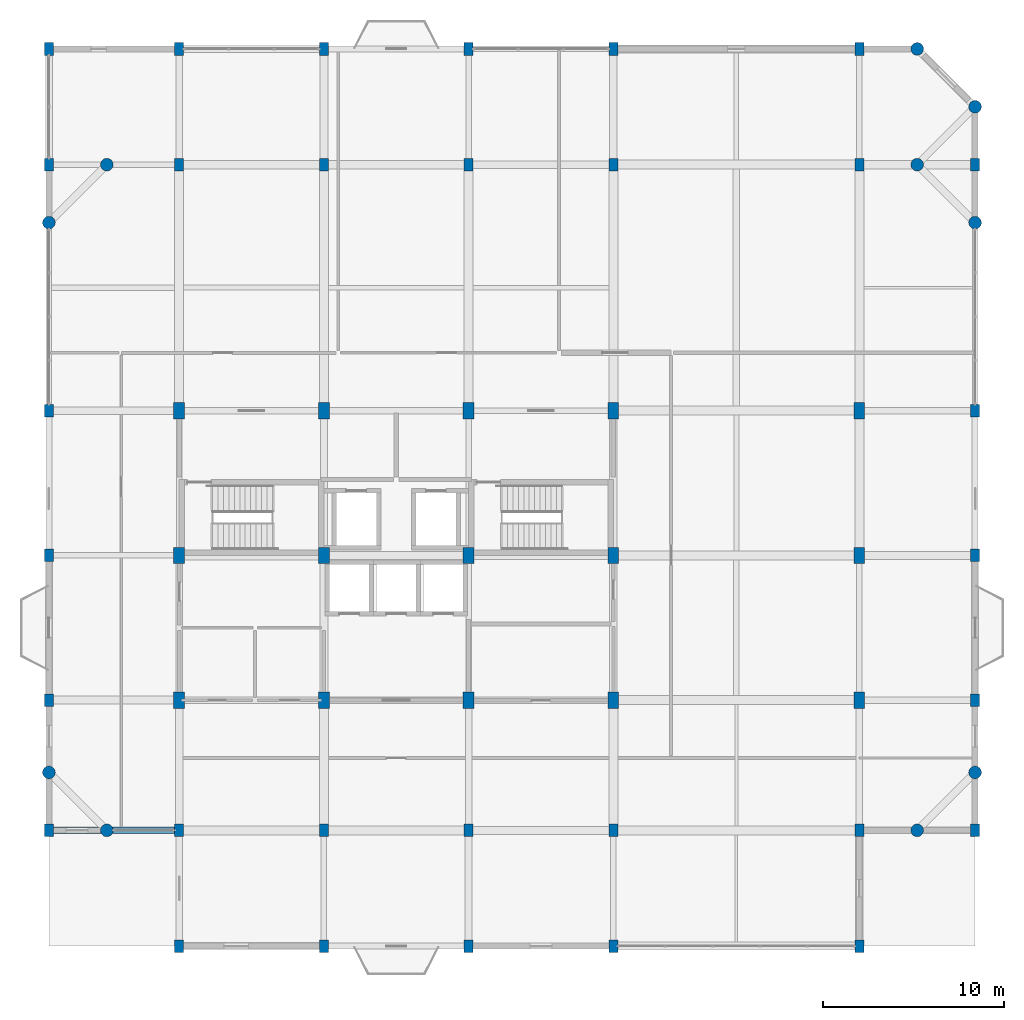
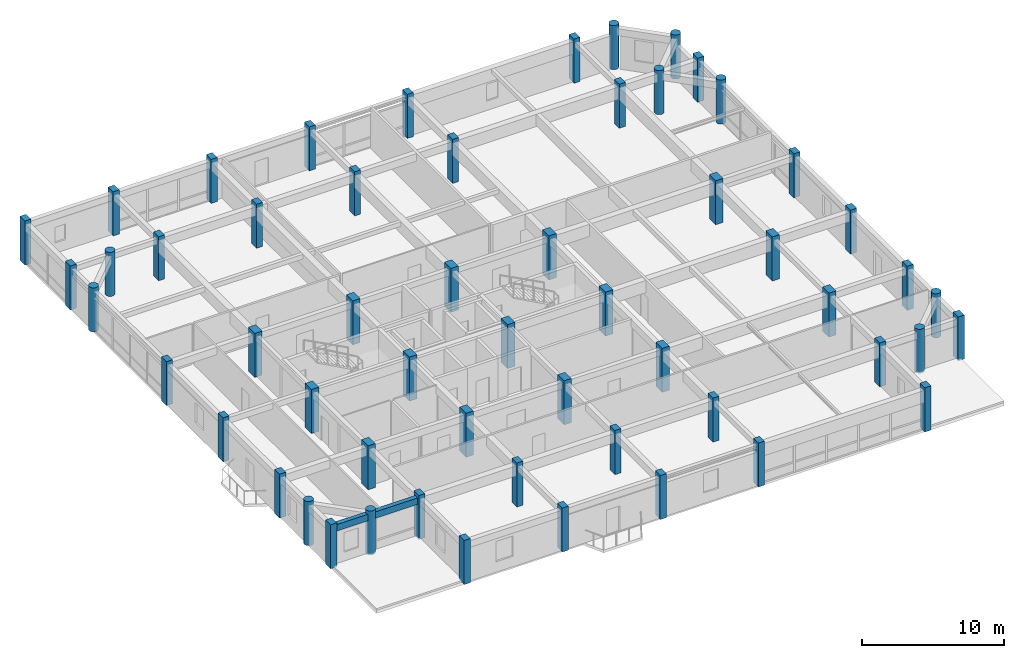
# One storey, part 1 of 14: 56 columns, 1 beam.
"""IFC4 building model written with IfcOpenShell, lengths in metres."""

from ifc_helpers import new_model, si_unit, direction, frame, origin, origin_2d, place, context, subcontext, project, spatial, rectangle, circle, extrude, material, material_profile, profile_set, type_object, element, save


model = new_model("IFC4")

# Units and contexts
model_context = context("Model", 3, precision=1e-05, world=origin(), true_north=direction((0.0, 1.0)))
body_context = subcontext(model_context, "Body", "Model", "MODEL_VIEW")
ifc_project = project(units=[si_unit("LENGTHUNIT", "METRE"), si_unit("AREAUNIT", "SQUARE_METRE"), si_unit("VOLUMEUNIT", "CUBIC_METRE"), si_unit("PLANEANGLEUNIT", "RADIAN"), si_unit("MASSUNIT", "GRAM", prefix="KILO")], contexts=[model_context])

# Site, building, storey
site_placement = place(None, origin())
site = spatial("IfcSite", under=ifc_project, at=site_placement, CompositionType="ELEMENT")
building_placement = place(site_placement, origin())
building = spatial("IfcBuilding", under=site, at=building_placement, Name="Vellmiral Cinema and Media Centre", CompositionType="ELEMENT")
storey_placement = place(building_placement, frame((0.0, 0.0, 47.10009765625)))
storey = spatial("IfcBuildingStorey", under=building, at=storey_placement, Name="L11", CompositionType="ELEMENT", Elevation=47.10009765625)

# Columns
ifc_material_1 = material(Name="Concrete C40/50", Category="concrete")
ifc_material_profile_1 = material_profile(ifc_material_1, rectangle(XDim=0.5, YDim=0.699951171875, at=origin_2d()), Name="RC 500x700")
ifc_profile_set_1 = profile_set([ifc_material_profile_1], Name="Concrete C40/50")
column_type_1 = type_object("IfcColumnType", Name="COL-RC-500x700", PredefinedType="COLUMN", material=ifc_profile_set_1)
for number, where, z_axis, x_axis, name in (
    (1, (116.800048828125, 72.0, 0.0), (0.0, 0.0, 1.0), (1.0, 0.0, 0.0), "Column L11-001"),
    (2, (116.800048828125, 79.199951171875, 0.0), (0.0, 0.0, 1.0), (1.0, 0.0, 0.0), "Column L11-003"),
    (3, (116.800048828125, 87.199951171875, 0.0), (0.0, 0.0, 1.0), (1.0, 0.0, 0.0), "Column L11-004"),
    (4, (116.800048828125, 95.199951171875, 0.0), (0.0, 0.0, 1.0), (1.0, 0.0, 0.0), "Column L11-005"),
    (5, (116.800048828125, 108.800048828125, 0.0), (0.0, 0.0, 1.0), (1.0, 0.0, 0.0), "Column L11-007"),
    (6, (116.800048828125, 115.199951171875, 0.0), (0.0, 0.0, 1.0), (1.0, 0.0, 0.0), "Column L11-008"),
    (7, (124.0, 65.60009765625, 0.0), (0.0, 0.0, 1.0), (1.0, 0.0, 0.0), "Column L11-011"),
    (8, (124.0, 72.0, 0.0), (0.0, 0.0, 1.0), (1.0, 0.0, 0.0), "Column L11-012"),
    (9, (124.0, 108.800048828125, 0.0), (0.0, 0.0, 1.0), (1.0, 0.0, 0.0), "Column L11-016"),
    (10, (124.0, 115.199951171875, 0.0), (0.0, 0.0, 1.0), (1.0, 0.0, 0.0), "Column L11-017"),
    (11, (132.0, 65.60009765625, 0.0), (0.0, 0.0, 1.0), (1.0, 0.0, 0.0), "Column L11-018"),
    (12, (132.0, 72.0, 0.0), (0.0, 0.0, 1.0), (1.0, 0.0, 0.0), "Column L11-019"),
    (13, (132.0, 108.800048828125, 0.0), (0.0, 0.0, 1.0), (1.0, 0.0, 0.0), "Column L11-023"),
    (14, (132.0, 115.199951171875, 0.0), (0.0, 0.0, 1.0), (1.0, 0.0, 0.0), "Column L11-024"),
    (15, (140.0, 65.60009765625, 0.0), (0.0, 0.0, 1.0), (1.0, 0.0, 0.0), "Column L11-025"),
    (16, (140.0, 72.0, 0.0), (0.0, 0.0, 1.0), (1.0, 0.0, 0.0), "Column L11-026"),
    (17, (140.0, 108.800048828125, 0.0), (0.0, 0.0, 1.0), (1.0, 0.0, 0.0), "Column L11-030"),
    (18, (140.0, 115.199951171875, 0.0), (0.0, 0.0, 1.0), (1.0, 0.0, 0.0), "Column L11-031"),
    (19, (148.0, 65.60009765625, 0.0), (0.0, 0.0, 1.0), (1.0, 0.0, 0.0), "Column L11-032"),
    (20, (148.0, 72.0, 0.0), (0.0, 0.0, 1.0), (1.0, 0.0, 0.0), "Column L11-033"),
    (21, (148.0, 108.800048828125, 0.0), (0.0, 0.0, 1.0), (1.0, 0.0, 0.0), "Column L11-037"),
    (22, (148.0, 115.199951171875, 0.0), (0.0, 0.0, 1.0), (1.0, 0.0, 0.0), "Column L11-038"),
    (23, (161.60009765625, 65.60009765625, 0.0), (0.0, 0.0, 1.0), (1.0, 0.0, 0.0), "Column L11-039"),
    (24, (161.60009765625, 72.0, 0.0), (0.0, 0.0, 1.0), (1.0, 0.0, 0.0), "Column L11-040"),
    (25, (161.60009765625, 108.800048828125, 0.0), (0.0, 0.0, 1.0), (1.0, 0.0, 0.0), "Column L11-044"),
    (26, (161.60009765625, 115.199951171875, 0.0), (0.0, 0.0, 1.0), (1.0, 0.0, 0.0), "Column L11-045"),
    (27, (168.0, 72.0, 0.0), (0.0, 0.0, 1.0), (1.0, 0.0, 0.0), "Column L11-049"),
    (28, (168.0, 79.199951171875, 0.0), (0.0, 0.0, 1.0), (1.0, 0.0, 0.0), "Column L11-051"),
    (29, (168.0, 87.199951171875, 0.0), (0.0, 0.0, 1.0), (1.0, 0.0, 0.0), "Column L11-052"),
    (30, (168.0, 95.199951171875, 0.0), (0.0, 0.0, 1.0), (1.0, 0.0, 0.0), "Column L11-053"),
    (31, (168.0, 108.800048828125, 0.0), (0.0, 0.0, 1.0), (1.0, 0.0, 0.0), "Column L11-055"),
):
    element("IfcColumn", number, at=place(storey_placement, frame(where, z_axis=z_axis, x_axis=x_axis)), inside=storey, type_object=column_type_1, Name=name, PredefinedType="COLUMN", context=body_context, shape_type="SweptSolid", body=[
        extrude(rectangle(XDim=0.5, YDim=0.699951171875, at=origin_2d()), origin(), (0.0, 0.0, 1.0), 3.7998046875),
    ])
ifc_material_2 = material(Name="Concrete C40/50", Category="concrete")
ifc_material_profile_2 = material_profile(ifc_material_2, rectangle(XDim=0.60009765625, YDim=0.89990234375, at=origin_2d()), Name="RC 600x900")
ifc_profile_set_2 = profile_set([ifc_material_profile_2], Name="Concrete C40/50")
column_type_2 = type_object("IfcColumnType", Name="COL-RC-600x900", PredefinedType="COLUMN", material=ifc_profile_set_2)
for number, where, z_axis, x_axis, name in (
    (32, (124.0, 79.199951171875, 0.0), (0.0, 0.0, 1.0), (1.0, 0.0, 0.0), "Column L11-013"),
    (33, (124.0, 87.199951171875, 0.0), (0.0, 0.0, 1.0), (1.0, 0.0, 0.0), "Column L11-014"),
    (34, (124.0, 95.199951171875, 0.0), (0.0, 0.0, 1.0), (1.0, 0.0, 0.0), "Column L11-015"),
    (35, (132.0, 79.199951171875, 0.0), (0.0, 0.0, 1.0), (1.0, 0.0, 0.0), "Column L11-020"),
    (36, (132.0, 87.199951171875, 0.0), (0.0, 0.0, 1.0), (1.0, 0.0, 0.0), "Column L11-021"),
    (37, (132.0, 95.199951171875, 0.0), (0.0, 0.0, 1.0), (1.0, 0.0, 0.0), "Column L11-022"),
    (38, (140.0, 79.199951171875, 0.0), (0.0, 0.0, 1.0), (1.0, 0.0, 0.0), "Column L11-027"),
    (39, (140.0, 87.199951171875, 0.0), (0.0, 0.0, 1.0), (1.0, 0.0, 0.0), "Column L11-028"),
    (40, (140.0, 95.199951171875, 0.0), (0.0, 0.0, 1.0), (1.0, 0.0, 0.0), "Column L11-029"),
    (41, (148.0, 79.199951171875, 0.0), (0.0, 0.0, 1.0), (1.0, 0.0, 0.0), "Column L11-034"),
    (42, (148.0, 87.199951171875, 0.0), (0.0, 0.0, 1.0), (1.0, 0.0, 0.0), "Column L11-035"),
    (43, (148.0, 95.199951171875, 0.0), (0.0, 0.0, 1.0), (1.0, 0.0, 0.0), "Column L11-036"),
    (44, (161.60009765625, 79.199951171875, 0.0), (0.0, 0.0, 1.0), (1.0, 0.0, 0.0), "Column L11-041"),
    (45, (161.60009765625, 87.199951171875, 0.0), (0.0, 0.0, 1.0), (1.0, 0.0, 0.0), "Column L11-042"),
    (46, (161.60009765625, 95.199951171875, 0.0), (0.0, 0.0, 1.0), (1.0, 0.0, 0.0), "Column L11-043"),
):
    element("IfcColumn", number, at=place(storey_placement, frame(where, z_axis=z_axis, x_axis=x_axis)), inside=storey, type_object=column_type_2, Name=name, PredefinedType="COLUMN", context=body_context, shape_type="SweptSolid", body=[
        extrude(rectangle(XDim=0.60009765625, YDim=0.89990234375, at=origin_2d()), origin(), (0.0, 0.0, 1.0), 3.7998046875),
    ])
ifc_material_3 = material(Name="Concrete C40/50", Category="concrete")
ifc_material_profile_3 = material_profile(ifc_material_3, circle(Radius=0.35009765625, at=origin_2d()), Name="RC D700")
ifc_profile_set_3 = profile_set([ifc_material_profile_3], Name="Concrete C40/50")
column_type_3 = type_object("IfcColumnType", Name="COL-RCC-D700", PredefinedType="COLUMN", material=ifc_profile_set_3)
for number, where, z_axis, x_axis, name in (
    (47, (116.800048828125, 75.199951171875, 0.0), (0.0, 0.0, 1.0), (1.0, 0.0, 0.0), "Column L11-002"),
    (48, (116.800048828125, 105.60009765625, 0.0), (0.0, 0.0, 1.0), (1.0, 0.0, 0.0), "Column L11-006"),
    (49, (120.0, 72.0, 0.0), (0.0, 0.0, 1.0), (1.0, 0.0, 0.0), "Column L11-009"),
    (50, (120.0, 108.800048828125, 0.0), (0.0, 0.0, 1.0), (1.0, 0.0, 0.0), "Column L11-010"),
    (51, (164.800048828125, 72.0, 0.0), (0.0, 0.0, 1.0), (1.0, 0.0, 0.0), "Column L11-046"),
    (52, (164.800048828125, 108.800048828125, 0.0), (0.0, 0.0, 1.0), (1.0, 0.0, 0.0), "Column L11-047"),
    (53, (164.800048828125, 115.199951171875, 0.0), (0.0, 0.0, 1.0), (1.0, 0.0, 0.0), "Column L11-048"),
    (54, (168.0, 75.199951171875, 0.0), (0.0, 0.0, 1.0), (1.0, 0.0, 0.0), "Column L11-050"),
    (55, (168.0, 105.60009765625, 0.0), (0.0, 0.0, 1.0), (1.0, 0.0, 0.0), "Column L11-054"),
    (56, (168.0, 112.0, 0.0), (0.0, 0.0, 1.0), (1.0, 0.0, 0.0), "Column L11-056"),
):
    element("IfcColumn", number, at=place(storey_placement, frame(where, z_axis=z_axis, x_axis=x_axis)), inside=storey, type_object=column_type_3, Name=name, PredefinedType="COLUMN", context=body_context, shape_type="SweptSolid", body=[
        extrude(circle(Radius=0.35009765625, at=origin_2d()), origin(), (0.0, 0.0, 1.0), 3.7998046875),
    ])

# Beam
ifc_material_4 = material(Name="Concrete C40/50", Category="concrete")
ifc_material_profile_4 = material_profile(ifc_material_4, rectangle(XDim=0.35009765625, YDim=0.56005859375, at=origin_2d()), Name="RC 350x560")
ifc_profile_set_4 = profile_set([ifc_material_profile_4], Name="Concrete C40/50")
beam_type = type_object("IfcBeamType", Name="SPD-RC-350x560", PredefinedType="SPANDREL", material=ifc_profile_set_4)
beam_placement = place(storey_placement, frame((116.800048828125, 72.0, 3.21484375), z_axis=(1.0, 0.0, 0.0), x_axis=(0.0, 1.0, 0.0)))
element("IfcBeam", 57, at=beam_placement, inside=storey, type_object=beam_type, Name="Grid Beam L11-X005", PredefinedType="SPANDREL", context=body_context, shape_type="SweptSolid", body=[
    extrude(rectangle(XDim=0.35009765625, YDim=0.56005859375, at=origin_2d()), origin(), (0.0, 0.0, 1.0), 7.199951171875),
])

save(model, "model.ifc")
